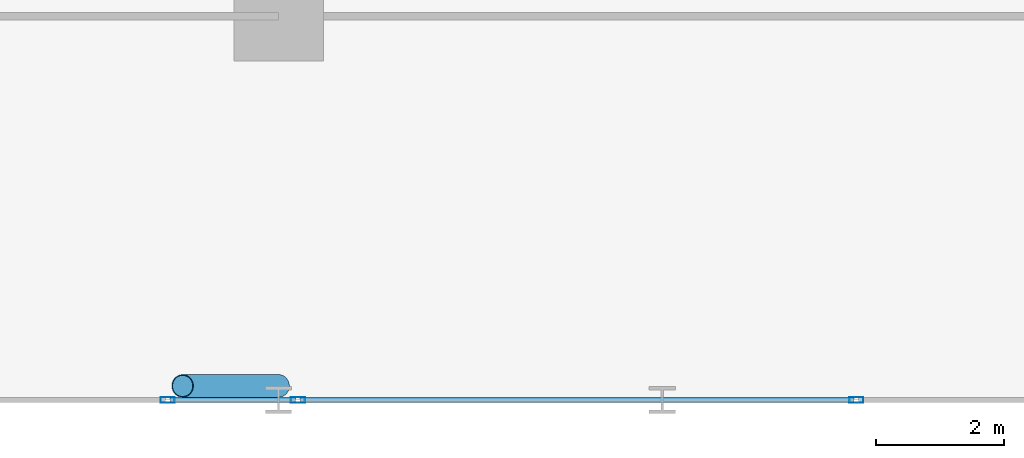
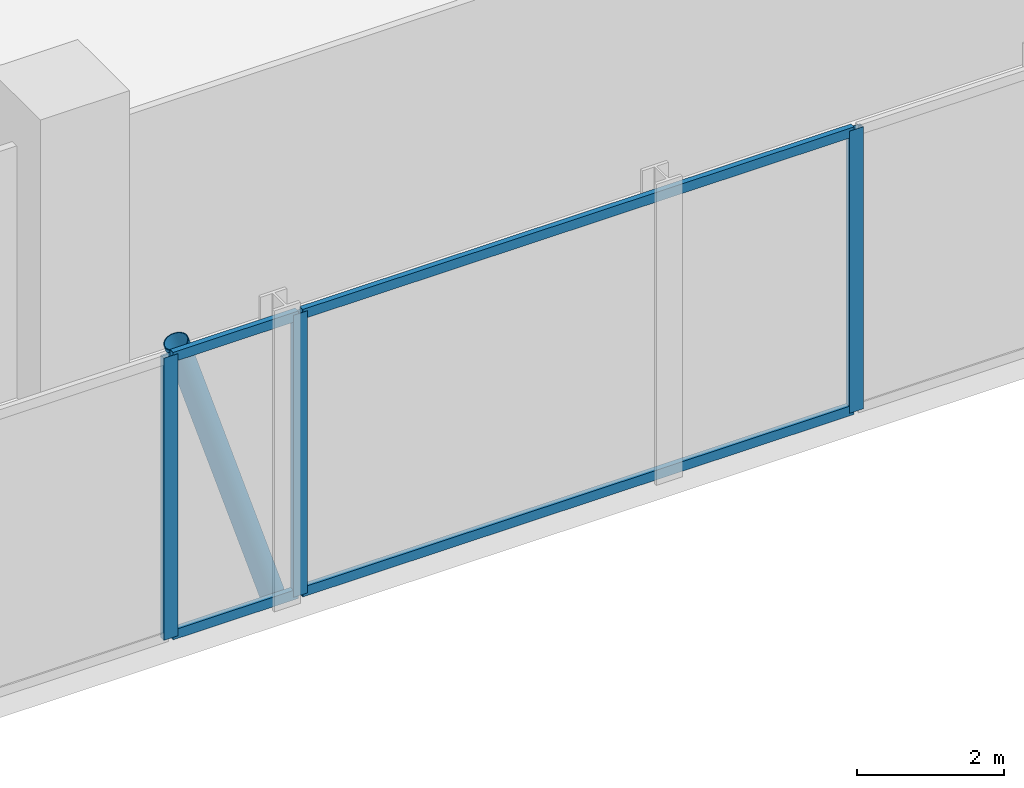
# One storey, part 6 of 29: 8 members, 2 elements without a shape of their own.
"""IFC4 building model written with IfcOpenShell, lengths in metres."""

import ifcopenshell
import ifcopenshell.guid

model = None  # the IFC model being written
_history = None  # IfcOwnerHistory: only IFC2X3 demands one
_inside = {}  # id of a spatial element -> (the spatial element, [elements in it])
_under = {}  # id of a project, library or spatial element -> (it, [spatial elements below it])
_declared = {}  # id of a project -> (the project, [libraries it declares])
_typed = {}  # id of a type object -> (the type object, [elements of that type])
_made_of = {}  # id of a material, layer set ... -> (it, [elements and type objects made of it])


def new_model(schema):
    """Start an empty IFC model of exactly this schema.

    Asked for "IFC4X3", IfcOpenShell would pick the latest addendum, in which some entities
    have other attributes; the version numbers below select the first issue.
    IFC2X3 requires an IfcOwnerHistory on every rooted entity: one is made here for all.
    """
    global model, _history
    if schema == "IFC4X3":
        model = ifcopenshell.file(schema_version=(4, 3, 0, 0))
    else:
        model = ifcopenshell.file(schema=schema)
    _inside.clear()
    _under.clear()
    _declared.clear()
    _typed.clear()
    _made_of.clear()
    _history = None
    if model.schema == "IFC2X3":
        org = make("IfcOrganization", Name="unknown")
        user = make(
            "IfcPersonAndOrganization",
            ThePerson=make("IfcPerson", FamilyName="unknown"),
            TheOrganization=org,
        )
        app = make(
            "IfcApplication",
            ApplicationDeveloper=org,
            Version="unknown",
            ApplicationFullName="unknown",
            ApplicationIdentifier="unknown",
        )
        _history = make(
            "IfcOwnerHistory",
            OwningUser=user,
            OwningApplication=app,
            ChangeAction="ADDED",
            CreationDate=0,
        )
    return model


def make(cls, **values):
    """One entity of the class cls with the attributes given. An attribute that is None is left unset."""
    return model.create_entity(
        cls, **{name: value for name, value in values.items() if value is not None}
    )


def rooted(cls, **values):
    """An entity with a GlobalId (a new one), such as an element, a storey or a relation."""
    return make(cls, GlobalId=ifcopenshell.guid.new(), OwnerHistory=_history, **values)


def si_unit(unit_type, name, prefix=None):
    """IfcSIUnit, for example si_unit("LENGTHUNIT", "METRE", prefix="MILLI")."""
    return make("IfcSIUnit", UnitType=unit_type, Prefix=prefix, Name=name)


def assignment(units):
    """IfcUnitAssignment: the units of a project."""
    return None if units is None else make("IfcUnitAssignment", Units=units)


def point(xyz):
    """IfcCartesianPoint."""
    return None if xyz is None else make("IfcCartesianPoint", Coordinates=xyz)


def direction(xyz):
    """IfcDirection."""
    return None if xyz is None else make("IfcDirection", DirectionRatios=xyz)


def frame(location, z_axis=None, x_axis=None):
    """IfcAxis2Placement3D, a coordinate frame: its origin and axes. An axis left out is left unset."""
    return make(
        "IfcAxis2Placement3D",
        Location=point(location),
        Axis=direction(z_axis),
        RefDirection=direction(x_axis),
    )


def frame_2d(location, x_axis=None):
    """IfcAxis2Placement2D, a coordinate frame in the plane: its origin and x axis."""
    return make(
        "IfcAxis2Placement2D", Location=point(location), RefDirection=direction(x_axis)
    )


def origin():
    """The frame at (0, 0, 0) with its axes left unset."""
    return frame((0.0, 0.0, 0.0))


def origin_2d():
    """The frame at (0, 0) in the plane with its x axis left unset."""
    return frame_2d((0.0, 0.0))


def place(relative_to, where):
    """IfcLocalPlacement: puts the frame where relative to a parent placement (None: the world)."""
    return make(
        "IfcLocalPlacement", PlacementRelTo=relative_to, RelativePlacement=where
    )


def context(
    kind, dimensions, precision=None, world=None, true_north=None, identifier=None
):
    """IfcGeometricRepresentationContext, for example the 3D "Model" context."""
    return make(
        "IfcGeometricRepresentationContext",
        ContextIdentifier=identifier,
        ContextType=kind,
        CoordinateSpaceDimension=dimensions,
        Precision=precision,
        WorldCoordinateSystem=world,
        TrueNorth=true_north,
    )


def subcontext(parent, identifier, kind, view, scale=None):
    """IfcGeometricRepresentationSubContext, for example "Body" below "Model"."""
    return make(
        "IfcGeometricRepresentationSubContext",
        ContextIdentifier=identifier,
        ContextType=kind,
        ParentContext=parent,
        TargetScale=scale,
        TargetView=view,
    )


def project(units=None, contexts=None):
    """IfcProject with its units and contexts."""
    return rooted(
        "IfcProject",
        Name="project",
        RepresentationContexts=contexts,
        UnitsInContext=assignment(units),
    )


def spatial(cls, under=None, at=None, **own):
    """A site, building, storey or space (cls), placed at a placement, below another one or the project."""
    s = rooted(cls, ObjectPlacement=at, **own)
    if under is not None:
        _under.setdefault(under.id(), (under, []))[1].append(s)
    return s


def profile(cls, at=None, kind="AREA", **sizes):
    """A parametric profile (cls). Its sizes go by their IFC names, for example OverallWidth=200.0."""
    return make(cls, ProfileType=kind, Position=at, **sizes)


def hollow_rectangle(**sizes):
    """IfcRectangleHollowProfileDef."""
    return profile("IfcRectangleHollowProfileDef", **sizes)


def hollow_circle(**sizes):
    """IfcCircleHollowProfileDef."""
    return profile("IfcCircleHollowProfileDef", **sizes)


def extrude(swept, where, along, depth):
    """IfcExtrudedAreaSolid: the profile swept, set in the frame where, extruded along a direction by depth."""
    return make(
        "IfcExtrudedAreaSolid",
        SweptArea=swept,
        Position=where,
        ExtrudedDirection=direction(along),
        Depth=depth,
    )


def shape(context_of_items, identifier, shape_type, items):
    """IfcShapeRepresentation: the items that make up one representation, for example the "Body"."""
    return make(
        "IfcShapeRepresentation",
        ContextOfItems=context_of_items,
        RepresentationIdentifier=identifier,
        RepresentationType=shape_type,
        Items=items,
    )


def material(Name=None, Category=None):
    """IfcMaterial."""
    return make("IfcMaterial", Name=Name, Category=Category)


def layer(
    of_material, thickness, ventilated=None, Name=None, Category=None, Priority=None
):
    """IfcMaterialLayer: one layer of a wall or slab, of a material (None: an air gap)."""
    return make(
        "IfcMaterialLayer",
        Material=of_material,
        LayerThickness=thickness,
        IsVentilated=ventilated,
        Name=Name,
        Category=Category,
        Priority=Priority,
    )


def layer_set(layers, Name=None):
    """IfcMaterialLayerSet."""
    return make("IfcMaterialLayerSet", MaterialLayers=layers, LayerSetName=Name)


def material_profile(
    of_material, cross_section, Name=None, Category=None, Priority=None
):
    """IfcMaterialProfile: a cross section and its material."""
    return make(
        "IfcMaterialProfile",
        Name=Name,
        Material=of_material,
        Profile=cross_section,
        Priority=Priority,
        Category=Category,
    )


def profile_set(profiles, Name=None, composite=None):
    """IfcMaterialProfileSet."""
    return make(
        "IfcMaterialProfileSet",
        Name=Name,
        MaterialProfiles=profiles,
        CompositeProfile=composite,
    )


def made_of(thing, what):
    """Note that an element or type object is made of a material, layer set ...; save() writes the relation."""
    if what is not None:
        _made_of.setdefault(what.id(), (what, []))[1].append(thing)
    return thing


def type_object(cls, material=None, **own):
    """A type object (cls), such as IfcWallType, which elements share."""
    return made_of(rooted(cls, **own), material)


def element(
    cls,
    number,
    at=None,
    inside=None,
    cuts=None,
    type_object=None,
    material=None,
    context=None,
    identifier="Body",
    shape_type=None,
    held_by="IfcProductDefinitionShape",
    body=None,
    shapes=None,
    **own,
):
    """One element of the class cls, such as IfcWall. Its Tag is "e" and its number.

    at: its placement. inside: the storey or other place that contains it. cuts: it is an
    opening in that element (IfcRelVoidsElement). A single representation is given by context,
    identifier, shape_type and body (its items); several are given by shapes. held_by: the class
    of the entity that holds the representations. save() writes the other relations.
    """
    e = rooted(cls, Tag="e%d" % number, ObjectPlacement=at, **own)
    if body is not None:
        shapes = [shape(context, identifier, shape_type, body)]
    if shapes is not None:
        e.Representation = make(held_by, Representations=shapes)
    if inside is not None:
        _inside.setdefault(inside.id(), (inside, []))[1].append(e)
    if cuts is not None:
        rooted(
            "IfcRelVoidsElement", RelatingBuildingElement=cuts, RelatedOpeningElement=e
        )
    if type_object is not None:
        _typed.setdefault(type_object.id(), (type_object, []))[1].append(e)
    return made_of(e, material)


def aggregate(whole, parts):
    """IfcRelAggregates: a whole, such as a stair, and the parts it consists of."""
    return rooted("IfcRelAggregates", RelatingObject=whole, RelatedObjects=parts)


def save(model, path):
    """Write the relations noted so far, then the file.

    IfcRelAggregates (storeys below a building ...), IfcRelContainedInSpatialStructure (elements
    in a storey), IfcRelDefinesByType, IfcRelAssociatesMaterial and IfcRelDeclares: one each for
    every whole, place, type object, material and project.
    """
    for whole, parts in _under.values():
        aggregate(whole, parts)
    for where, things in _inside.values():
        rooted(
            "IfcRelContainedInSpatialStructure",
            RelatedElements=things,
            RelatingStructure=where,
        )
    for kind, things in _typed.values():
        rooted("IfcRelDefinesByType", RelatedObjects=things, RelatingType=kind)
    for what, things in _made_of.values():
        rooted("IfcRelAssociatesMaterial", RelatedObjects=things, RelatingMaterial=what)
    for by, libraries in _declared.values():
        rooted("IfcRelDeclares", RelatingContext=by, RelatedDefinitions=libraries)
    model.write(path)


model = new_model("IFC4")

# Units and contexts
model_context = context("Model", 3, precision=1e-05, world=origin(), true_north=direction((0.0, 1.0)))
body_context = subcontext(model_context, "Body", "Model", "MODEL_VIEW")
ifc_project = project(units=[si_unit("LENGTHUNIT", "METRE"), si_unit("AREAUNIT", "SQUARE_METRE"), si_unit("VOLUMEUNIT", "CUBIC_METRE"), si_unit("PLANEANGLEUNIT", "RADIAN"), si_unit("MASSUNIT", "GRAM", prefix="KILO")], contexts=[model_context])

# Site, building, storey
site_placement = place(None, origin())
site = spatial("IfcSite", under=ifc_project, at=site_placement, CompositionType="ELEMENT")
building_placement = place(site_placement, origin())
building = spatial("IfcBuilding", under=site, at=building_placement, Name="Keshet Zoharim Tower", CompositionType="ELEMENT")
storey_placement = place(building_placement, frame((0.0, 0.0, 19.0)))
storey = spatial("IfcBuildingStorey", under=building, at=storey_placement, Name="L03", CompositionType="ELEMENT", Elevation=19.0)

# Curtain wall, members
ifc_material_1 = material(Name="Aluminium 6063-T6", Category="aluminium")
ifc_layer = layer(ifc_material_1, 0.179931640625)
ifc_layer_set = layer_set([ifc_layer], Name="Aluminium 6063-T6")
curtain_wall_type = type_object("IfcCurtainWallType", Name="CW-SYS-01", PredefinedType="NOTDEFINED", material=ifc_layer_set)
curtain_wall_1_placement = place(storey_placement, origin())
curtain_wall_1 = element("IfcCurtainWall", 1, at=curtain_wall_1_placement, inside=storey, type_object=curtain_wall_type, Name="L03 Unitised Curtain Wall 25", PredefinedType="NOTDEFINED")
ifc_material_profile_1 = material_profile(ifc_material_1, hollow_rectangle(XDim=0.090087890625, YDim=0.219970703125, WallThickness=0.0048828125, at=origin_2d()), Name="MUL-90x220")
ifc_profile_set_1 = profile_set([ifc_material_profile_1], Name="Aluminium 6063-T6")
member_type_1 = type_object("IfcMemberType", Name="CWM-M22", PredefinedType="MULLION", material=ifc_profile_set_1)
member_1_placement = place(storey_placement, frame((48.0361328125, 0.699951171875, 0.0), z_axis=(0.0, 0.0, 1.0), x_axis=(0.0, -1.0, 0.0)))
member_1 = element("IfcMember", 2, at=member_1_placement, type_object=member_type_1, Name="CW-01 mullion 2", PredefinedType="MULLION", context=body_context, shape_type="SweptSolid", body=[
    extrude(hollow_rectangle(XDim=0.090087890625, YDim=0.219970703125, WallThickness=0.0048828125, at=origin_2d()), origin(), (0.0, 0.0, 1.0), 4.68505859375),
])
member_2_placement = place(storey_placement, frame((39.30419921875, 0.699951171875, 0.0), z_axis=(0.0, 0.0, 1.0), x_axis=(0.0, -1.0, 0.0)))
member_2 = element("IfcMember", 3, at=member_2_placement, type_object=member_type_1, Name="CW-01 mullion 3", PredefinedType="MULLION", context=body_context, shape_type="SweptSolid", body=[
    extrude(hollow_rectangle(XDim=0.090087890625, YDim=0.219970703125, WallThickness=0.0048828125, at=origin_2d()), origin(), (0.0, 0.0, 1.0), 4.68505859375),
])

# Curtain wall, member
curtain_wall_2_placement = place(storey_placement, origin())
curtain_wall_2 = element("IfcCurtainWall", 4, at=curtain_wall_2_placement, inside=storey, type_object=curtain_wall_type, Name="L03 Unitised Curtain Wall 25 Part 2", PredefinedType="NOTDEFINED")
member_3_placement = place(storey_placement, frame((37.265625, 0.699951171875, 0.0), z_axis=(0.0, 0.0, 1.0), x_axis=(0.0, -1.0, 0.0)))
member_3 = element("IfcMember", 5, at=member_3_placement, type_object=member_type_1, Name="CW-01 mullion 2", PredefinedType="MULLION", context=body_context, shape_type="SweptSolid", body=[
    extrude(hollow_rectangle(XDim=0.090087890625, YDim=0.219970703125, WallThickness=0.0048828125, at=origin_2d()), origin(), (0.0, 0.0, 1.0), 4.68505859375),
])

# Member
ifc_material_profile_2 = material_profile(ifc_material_1, hollow_rectangle(XDim=0.0849609375, YDim=0.159912109375, WallThickness=0.00439453125, at=origin_2d()), Name="TRN-85x160")
ifc_profile_set_2 = profile_set([ifc_material_profile_2], Name="Aluminium 6063-T6")
member_type_2 = type_object("IfcMemberType", Name="CWT-T16", PredefinedType="USERDEFINED", material=ifc_profile_set_2)
member_4_placement = place(storey_placement, frame((48.001220703125, 0.699951171875, 0.034912109375), z_axis=(-1.0, 0.0, 0.0), x_axis=(0.0, -1.0, 0.0)))
member_4 = element("IfcMember", 6, at=member_4_placement, type_object=member_type_2, Name="CW-01 transom 2.1", ObjectType="TRANSOM", PredefinedType="USERDEFINED", context=body_context, shape_type="SweptSolid", body=[
    extrude(hollow_rectangle(XDim=0.0849609375, YDim=0.159912109375, WallThickness=0.00439453125, at=origin_2d()), origin(), (0.0, 0.0, 1.0), 8.661865234375),
])

member_5_placement = place(storey_placement, frame((48.001220703125, 0.699951171875, 4.64990234375), z_axis=(-1.0, 0.0, 0.0), x_axis=(0.0, -1.0, 0.0)))
member_5 = element("IfcMember", 7, at=member_5_placement, type_object=member_type_2, Name="CW-01 transom 2.2", ObjectType="TRANSOM", PredefinedType="USERDEFINED", context=body_context, shape_type="SweptSolid", body=[
    extrude(hollow_rectangle(XDim=0.0849609375, YDim=0.159912109375, WallThickness=0.00439453125, at=origin_2d()), origin(), (0.0, 0.0, 1.0), 8.661865234375),
])

aggregate(curtain_wall_1, [member_1, member_2, member_4, member_5])

member_6_placement = place(storey_placement, frame((39.269287109375, 0.699951171875, 0.034912109375), z_axis=(-1.0, 0.0, 0.0), x_axis=(0.0, -1.0, 0.0)))
member_6 = element("IfcMember", 8, at=member_6_placement, type_object=member_type_2, Name="CW-01 transom 1.1", ObjectType="TRANSOM", PredefinedType="USERDEFINED", context=body_context, shape_type="SweptSolid", body=[
    extrude(hollow_rectangle(XDim=0.0849609375, YDim=0.159912109375, WallThickness=0.00439453125, at=origin_2d()), origin(), (0.0, 0.0, 1.0), 1.968505859375),
])

member_7_placement = place(storey_placement, frame((39.269287109375, 0.699951171875, 4.64990234375), z_axis=(-1.0, 0.0, 0.0), x_axis=(0.0, -1.0, 0.0)))
member_7 = element("IfcMember", 9, at=member_7_placement, type_object=member_type_2, Name="CW-01 transom 1.2", ObjectType="TRANSOM", PredefinedType="USERDEFINED", context=body_context, shape_type="SweptSolid", body=[
    extrude(hollow_rectangle(XDim=0.0849609375, YDim=0.159912109375, WallThickness=0.00439453125, at=origin_2d()), origin(), (0.0, 0.0, 1.0), 1.968505859375),
])

aggregate(curtain_wall_2, [member_3, member_6, member_7])

ifc_material_2 = material(Name="Steel S355", Category="steel")
ifc_material_profile_3 = material_profile(ifc_material_2, hollow_circle(Radius=0.177734375, WallThickness=0.012451171875, at=origin_2d()), Name="CHS355x12.5")
ifc_profile_set_3 = profile_set([ifc_material_profile_3], Name="Steel S355")
member_type_3 = type_object("IfcMemberType", Name="MB-BR-C355", PredefinedType="BRACE", material=ifc_profile_set_3)
member_8_placement = place(storey_placement, frame((39.0, 0.919921875, 0.0), z_axis=(-0.304919784201, 0.0, 0.952378036917), x_axis=(0.0, -1.0, 0.0)))
element("IfcMember", 10, at=member_8_placement, inside=storey, type_object=member_type_3, Name="L03 Perimeter Tube Brace 03", PredefinedType="BRACE", context=body_context, shape_type="SweptSolid", body=[
    extrude(hollow_circle(Radius=0.177734375, WallThickness=0.012451171875, at=origin_2d()), origin(), (0.0, 0.0, 1.0), 4.91943359375),
])

save(model, "model.ifc")
